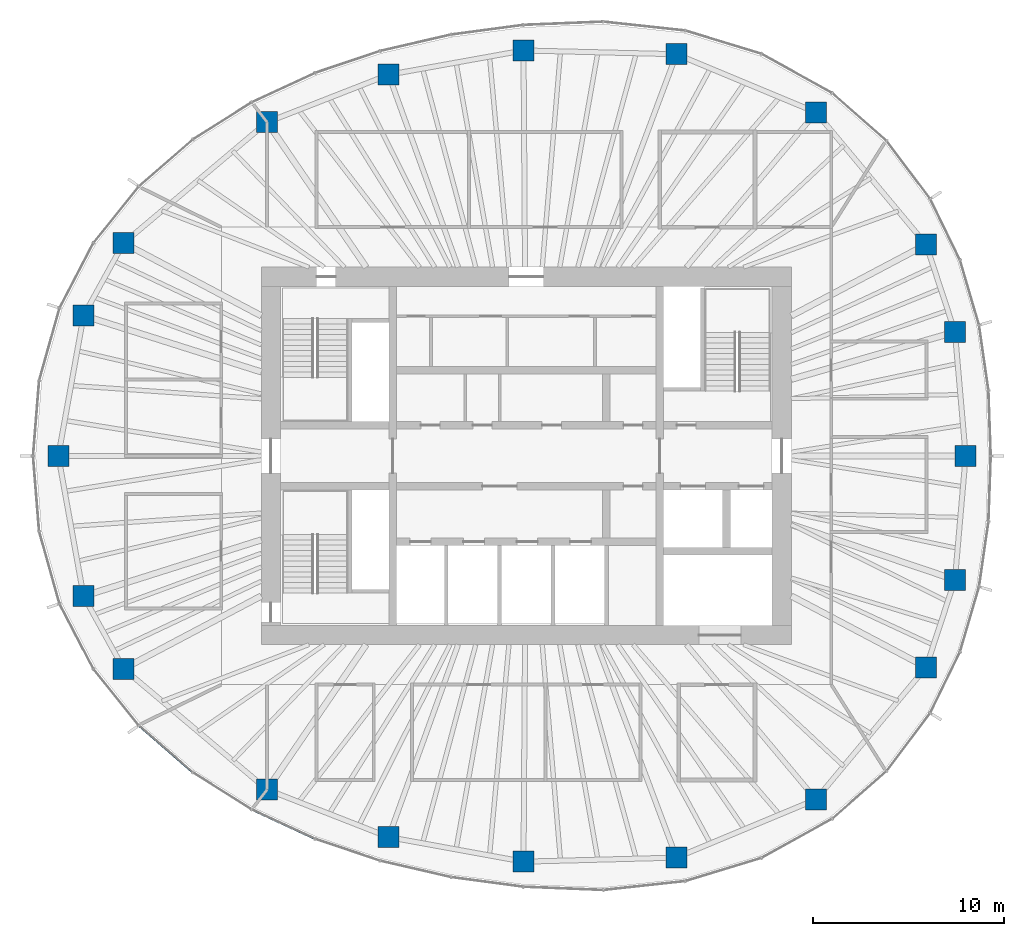
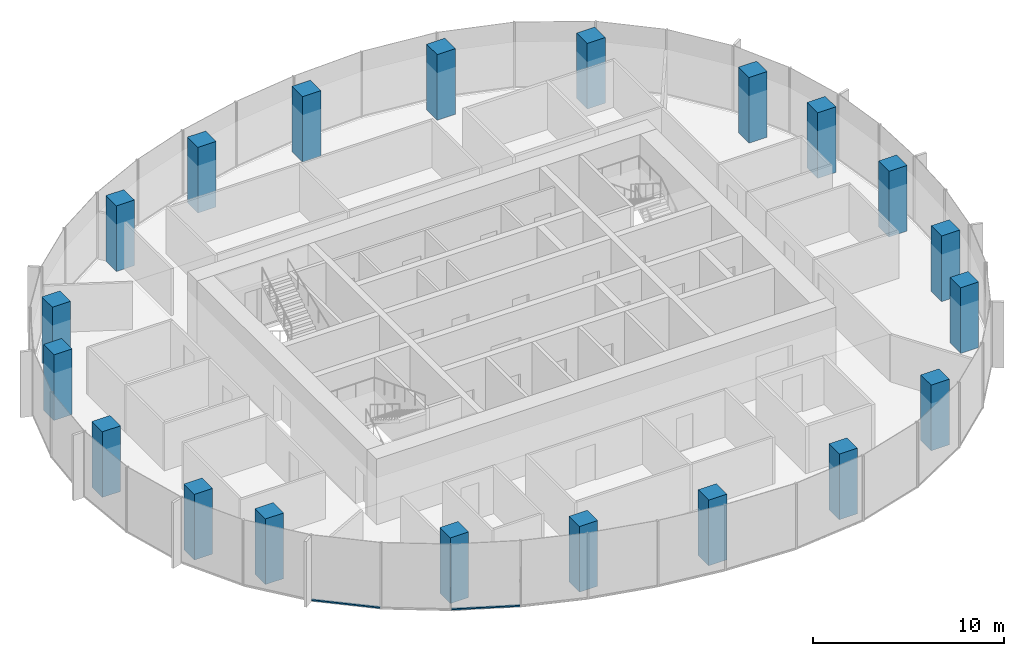
# One storey, part 1 of 12: 20 columns, 2 members, 2 elements without a shape of their own.
"""IFC4 building model written with IfcOpenShell, lengths in metres."""

from ifc_helpers import new_model, si_unit, direction, frame, origin, origin_2d, place, context, subcontext, project, spatial, rectangle, extrude, material, material_profile, profile_set, type_object, element, aggregate, save


model = new_model("IFC4")

# Units and contexts
model_context = context("Model", 3, precision=1e-05, world=origin(), true_north=direction((0.0, 1.0)))
body_context = subcontext(model_context, "Body", "Model", "MODEL_VIEW")
ifc_project = project(units=[si_unit("LENGTHUNIT", "METRE"), si_unit("AREAUNIT", "SQUARE_METRE"), si_unit("VOLUMEUNIT", "CUBIC_METRE"), si_unit("PLANEANGLEUNIT", "RADIAN"), si_unit("MASSUNIT", "GRAM", prefix="KILO")], contexts=[model_context])

# Site, building, storey
site_placement = place(None, origin())
site = spatial("IfcSite", under=ifc_project, at=site_placement, CompositionType="ELEMENT")
building_placement = place(site_placement, origin())
building = spatial("IfcBuilding", under=site, at=building_placement, Name="Ghaith Harvest Tower", CompositionType="ELEMENT")
storey_placement = place(building_placement, frame((0.0, 0.0, 300.60009765625)))
storey = spatial("IfcBuildingStorey", under=building, at=storey_placement, Name="L67", CompositionType="ELEMENT", Elevation=300.60009765625)

# Columns
ifc_material_1 = material(Name="Concrete C50/60", Category="concrete")
ifc_material_profile_1 = material_profile(ifc_material_1, rectangle(XDim=1.10009765625, YDim=1.10009765625, at=origin_2d()), Name="RC1100X1100")
ifc_profile_set_1 = profile_set([ifc_material_profile_1], Name="Concrete C50/60")
column_type = type_object("IfcColumnType", Name="TC7 RC1100X1100", PredefinedType="COLUMN", material=ifc_profile_set_1)
for number, where, z_axis, x_axis, name in (
    (1, (23.050048828125, 0.0, 0.0), (0.0, 0.0, 1.0), (1.0, 0.0, 0.0), "Perimeter column C01"),
    (2, (22.485107421875, 6.4990234375, 0.0), (0.0, 0.0, 1.0), (1.0, 0.0, 0.0), "Perimeter column C02"),
    (3, (20.97705078125, 11.087890625, 0.0), (0.0, 0.0, 1.0), (1.0, 0.0, 0.0), "Perimeter column C03"),
    (4, (15.197998046875, 18.02294921875, 0.0), (0.0, 0.0, 1.0), (1.0, 0.0, 0.0), "Perimeter column C04"),
    (5, (7.8779296875, 21.072021484375, 0.0), (0.0, 0.0, 1.0), (1.0, 0.0, 0.0), "Perimeter column C05"),
    (6, (-0.14599609375, 21.27099609375, 0.0), (0.0, 0.0, 1.0), (1.0, 0.0, 0.0), "Perimeter column C06"),
    (7, (-7.221923828125, 19.9970703125, 0.0), (0.0, 0.0, 1.0), (1.0, 0.0, 0.0), "Perimeter column C07"),
    (8, (-13.594970703125, 17.5048828125, 0.0), (0.0, 0.0, 1.0), (1.0, 0.0, 0.0), "Perimeter column C08"),
    (9, (-21.125, 11.166015625, 0.0), (0.0, 0.0, 1.0), (1.0, 0.0, 0.0), "Perimeter column C09"),
    (10, (-23.22412109375, 7.360107421875, 0.0), (0.0, 0.0, 1.0), (1.0, 0.0, 0.0), "Perimeter column C10"),
    (11, (-24.550048828125, 0.0, 0.0), (0.0, 0.0, 1.0), (1.0, 0.0, 0.0), "Perimeter column C11"),
    (12, (-23.22412109375, -7.360107421875, 0.0), (0.0, 0.0, 1.0), (1.0, 0.0, 0.0), "Perimeter column C12"),
    (13, (-21.125, -11.166015625, 0.0), (0.0, 0.0, 1.0), (1.0, 0.0, 0.0), "Perimeter column C13"),
    (14, (-13.594970703125, -17.5048828125, 0.0), (0.0, 0.0, 1.0), (1.0, 0.0, 0.0), "Perimeter column C14"),
    (15, (-7.221923828125, -19.9970703125, 0.0), (0.0, 0.0, 1.0), (1.0, 0.0, 0.0), "Perimeter column C15"),
    (16, (-0.14599609375, -21.285888671875, 0.0), (0.0, 0.0, 1.0), (1.0, 0.0, 0.0), "Perimeter column C16"),
    (17, (7.8779296875, -21.072021484375, 0.0), (0.0, 0.0, 1.0), (1.0, 0.0, 0.0), "Perimeter column C17"),
    (18, (15.197998046875, -18.02294921875, 0.0), (0.0, 0.0, 1.0), (1.0, 0.0, 0.0), "Perimeter column C18"),
    (19, (20.97705078125, -11.087890625, 0.0), (0.0, 0.0, 1.0), (1.0, 0.0, 0.0), "Perimeter column C19"),
    (20, (22.485107421875, -6.4990234375, 0.0), (0.0, 0.0, 1.0), (1.0, 0.0, 0.0), "Perimeter column C20"),
):
    element("IfcColumn", number, at=place(storey_placement, frame(where, z_axis=z_axis, x_axis=x_axis)), inside=storey, type_object=column_type, Name=name, PredefinedType="COLUMN", context=body_context, shape_type="SweptSolid", body=[
        extrude(rectangle(XDim=1.10009765625, YDim=1.10009765625, at=origin_2d()), origin(), (0.0, 0.0, 1.0), 4.199951171875),
    ])

# Curtain wall, member
ifc_material_2 = material(Name="Black anodised aluminium and fritted glass", Category="aluminium")
curtain_wall_type = type_object("IfcCurtainWallType", Name="CW-T CURTAIN WALL", PredefinedType="NOTDEFINED", material=ifc_material_2)
curtain_wall_1_placement = place(storey_placement, origin())
curtain_wall_1 = element("IfcCurtainWall", 21, at=curtain_wall_1_placement, inside=storey, type_object=curtain_wall_type, Name="Curtain wall CW-T bay 13 L67", PredefinedType="NOTDEFINED")
ifc_material_3 = material(Name="Aluminium, black anodised", Category="aluminium")
ifc_material_profile_2 = material_profile(ifc_material_3, rectangle(XDim=0.1201171875, YDim=0.080078125, at=origin_2d()), Name="CW-T TRANSOM 120x80")
ifc_profile_set_2 = profile_set([ifc_material_profile_2], Name="Aluminium, black anodised")
member_type = type_object("IfcMemberType", Name="CW-T TRANSOM 120x80", PredefinedType="USERDEFINED", material=ifc_profile_set_2)
member_1_placement = place(storey_placement, frame((-20.294189453125, -14.168212890625, 0.039794921875), z_axis=(0.754851889287, -0.65589528527, 0.0), x_axis=(0.65589528527, 0.754851889287, 0.0)))
member_1 = element("IfcMember", 22, at=member_1_placement, type_object=member_type, Name="CW-T transom 1 bay 13 L67", ObjectType="TRANSOM", PredefinedType="USERDEFINED", context=body_context, shape_type="SweptSolid", body=[
    extrude(rectangle(XDim=0.1201171875, YDim=0.080078125, at=origin_2d()), origin(), (0.0, 0.0, 1.0), 3.668701171875),
])
aggregate(curtain_wall_1, [member_1])

curtain_wall_2_placement = place(storey_placement, origin())
curtain_wall_2 = element("IfcCurtainWall", 23, at=curtain_wall_2_placement, inside=storey, type_object=curtain_wall_type, Name="Curtain wall CW-T bay 14 L67", PredefinedType="NOTDEFINED")
member_2_placement = place(storey_placement, frame((-14.36865234375, -18.564697265625, 0.039794921875), z_axis=(0.907472177056, -0.420112184862, 0.0), x_axis=(0.420112184862, 0.907472177056, 0.0)))
member_2 = element("IfcMember", 24, at=member_2_placement, type_object=member_type, Name="CW-T transom 1 bay 14 L67", ObjectType="TRANSOM", PredefinedType="USERDEFINED", context=body_context, shape_type="SweptSolid", body=[
    extrude(rectangle(XDim=0.1201171875, YDim=0.080078125, at=origin_2d()), origin(), (0.0, 0.0, 1.0), 3.597900390625),
])
aggregate(curtain_wall_2, [member_2])

save(model, "model.ifc")
